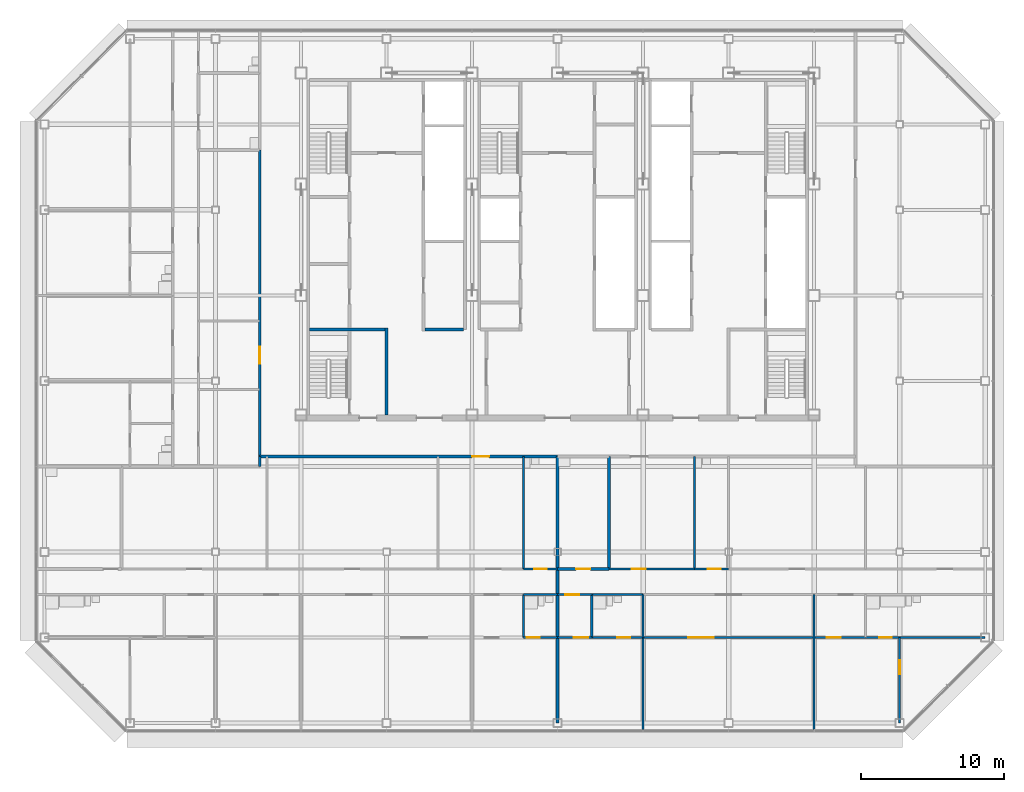
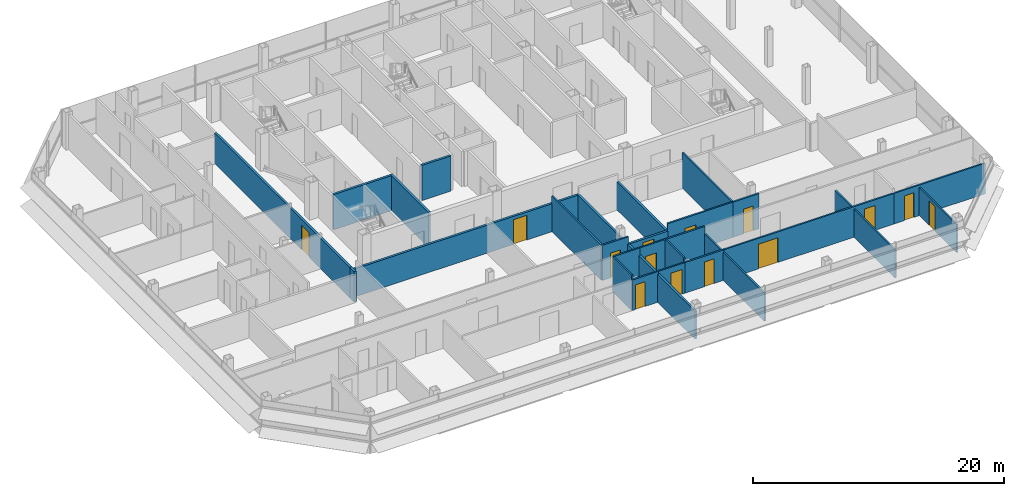
# One storey, part 22 of 28: 29 walls, 14 doors, 14 openings.
"""IFC4 building model written with IfcOpenShell, lengths in metres."""

from ifc_helpers import new_model, si_unit, direction, frame, frame_2d, origin, place, context, subcontext, project, spatial, rectangle, extrude, material, layer, layer_set, type_object, element, fill, save


model = new_model("IFC4")

# Units and contexts
model_context = context("Model", 3, precision=1e-05, world=origin(), true_north=direction((0.0, 1.0)))
body_context = subcontext(model_context, "Body", "Model", "MODEL_VIEW")
ifc_project = project(units=[si_unit("LENGTHUNIT", "METRE"), si_unit("AREAUNIT", "SQUARE_METRE"), si_unit("VOLUMEUNIT", "CUBIC_METRE"), si_unit("PLANEANGLEUNIT", "RADIAN"), si_unit("MASSUNIT", "GRAM", prefix="KILO")], contexts=[model_context])

# Site, building, storey
site_placement = place(None, origin())
site = spatial("IfcSite", under=ifc_project, at=site_placement, CompositionType="ELEMENT")
building_placement = place(site_placement, origin())
building = spatial("IfcBuilding", under=site, at=building_placement, Name="Sorahane Residences", CompositionType="ELEMENT")
storey_placement = place(building_placement, frame((0.0, 0.0, 273.800048828125)))
storey = spatial("IfcBuildingStorey", under=building, at=storey_placement, Name="L65", CompositionType="ELEMENT", Elevation=273.800048828125)

# Wall, opening, door
ifc_material_1 = material(Name="Concrete blockwork C20 wall", Category="masonry")
ifc_layer_1 = layer(ifc_material_1, 0.199951171875)
ifc_layer_set_1 = layer_set([ifc_layer_1], Name="Corridor wall 200 EI 120")
wall_type_1 = type_object("IfcWallType", Name="Corridor wall 200 EI 120", PredefinedType="SOLIDWALL", material=ifc_layer_set_1)
wall_1_placement = place(storey_placement, frame((3.10009765625, 18.699951171875, 0.0), z_axis=(0.0, 0.0, 1.0), x_axis=(0.0, 1.0, 0.0)))
wall_1 = element("IfcWall", 1, at=wall_1_placement, inside=storey, type_object=wall_type_1, Name="L65 corridor wall", PredefinedType="SOLIDWALL", context=body_context, shape_type="SweptSolid", body=[
    extrude(rectangle(XDim=21.5, YDim=0.199951171875, at=frame_2d((10.75, 0.0))), origin(), (0.0, 0.0, 1.0), 2.969970703125),
])
opening_1_placement = place(wall_1_placement, frame((6.5, 0.0, 0.0)))
opening_1 = element("IfcOpeningElement", 2, at=opening_1_placement, cuts=wall_1, Name="Opening L65-46", PredefinedType="OPENING", context=body_context, shape_type="SweptSolid", body=[
    extrude(rectangle(XDim=1.199951171875, YDim=2.39990234375, at=frame_2d((0.60009765625, 1.199951171875))), frame((0.0, 0.10986328125, 0.0), z_axis=(0.0, -1.0, 0.0), x_axis=(1.0, 0.0, 0.0)), (0.0, 0.0, 1.0), 0.219970703125),
])
ifc_material_2 = material(Name="Timber veneered fire door", Category="wood")
door_type_1 = type_object("IfcDoorType", Name="Flat entrance door 1200x2400 FD60", OperationType="NOTDEFINED", PredefinedType="DOOR", material=ifc_material_2)
door_1_placement = place(opening_1_placement, origin())
door_1 = element("IfcDoor", 3, at=door_1_placement, inside=storey, type_object=door_type_1, Name="Flat entrance door L65-46", OperationType="SINGLE_SWING_LEFT", OverallHeight=2.39990234375, OverallWidth=1.199951171875, PredefinedType="DOOR", context=body_context, shape_type="SweptSolid", body=[
    extrude(rectangle(XDim=1.199951171875, YDim=2.39990234375, at=frame_2d((0.60009765625, 1.199951171875))), frame((0.0, 0.02490234375, 0.0), z_axis=(0.0, -1.0, 0.0), x_axis=(1.0, 0.0, 0.0)), (0.0, 0.0, 1.0), 0.050048828125),
])
fill(opening_1, door_1)

wall_2_placement = place(storey_placement, frame((3.10009765625, 18.699951171875, 0.0), z_axis=(0.0, 0.0, 1.0), x_axis=(1.0, 0.0, 0.0)))
wall_2 = element("IfcWall", 4, at=wall_2_placement, inside=storey, type_object=wall_type_1, Name="L65 corridor wall", PredefinedType="SOLIDWALL", context=body_context, shape_type="SweptSolid", body=[
    extrude(rectangle(XDim=20.89990234375, YDim=0.199951171875, at=frame_2d((10.449951171875, 0.0))), origin(), (0.0, 0.0, 1.0), 2.719970703125),
])
opening_2_placement = place(wall_2_placement, frame((14.89990234375, 0.0, 0.0)))
opening_2 = element("IfcOpeningElement", 5, at=opening_2_placement, cuts=wall_2, Name="Opening L65-44", PredefinedType="OPENING", context=body_context, shape_type="SweptSolid", body=[
    extrude(rectangle(XDim=1.199951171875, YDim=2.39990234375, at=frame_2d((0.60009765625, 1.199951171875))), frame((0.0, 0.10986328125, 0.0), z_axis=(0.0, -1.0, 0.0), x_axis=(1.0, 0.0, 0.0)), (0.0, 0.0, 1.0), 0.219970703125),
])
door_2_placement = place(opening_2_placement, frame((1.199951171875, 0.0, 0.0), z_axis=(0.0, 0.0, 1.0), x_axis=(-1.0, 0.0, 0.0)))
door_2 = element("IfcDoor", 6, at=door_2_placement, inside=storey, type_object=door_type_1, Name="Flat entrance door L65-44", OperationType="SINGLE_SWING_LEFT", OverallHeight=2.39990234375, OverallWidth=1.199951171875, PredefinedType="DOOR", context=body_context, shape_type="SweptSolid", body=[
    extrude(rectangle(XDim=1.199951171875, YDim=2.39990234375, at=frame_2d((0.60009765625, 1.199951171875))), frame((0.0, 0.02490234375, 0.0), z_axis=(0.0, -1.0, 0.0), x_axis=(1.0, 0.0, 0.0)), (0.0, 0.0, 1.0), 0.050048828125),
])
fill(opening_2, door_2)

# Walls
ifc_material_3 = material(Name="Concrete C30", Category="concrete")
ifc_layer_2 = layer(ifc_material_3, 0.199951171875)
ifc_layer_set_2 = layer_set([ifc_layer_2], Name="Front room wall 200 EI 120")
wall_type_2 = type_object("IfcWallType", Name="Front room wall 200 EI 120", PredefinedType="PARTITIONING", material=ifc_layer_set_2)
wall_3_placement = place(storey_placement, frame((12.0, 21.60009765625, 0.0), z_axis=(0.0, 0.0, 1.0), x_axis=(0.0, 1.0, 0.0)))
element("IfcWall", 7, at=wall_3_placement, inside=storey, type_object=wall_type_2, Name="L65 front room wall", PredefinedType="PARTITIONING", context=body_context, shape_type="SweptSolid", body=[
    extrude(rectangle(XDim=6.099853515625, YDim=0.199951171875, at=frame_2d((3.0498046875, 0.0))), origin(), (0.0, 0.0, 1.0), 3.419921875),
])
ifc_material_4 = material(Name="Concrete blockwork C20 wall", Category="masonry")
ifc_layer_3 = layer(ifc_material_4, 0.199951171875)
ifc_layer_set_3 = layer_set([ifc_layer_3], Name="Kitchen wall 200 EI 180")
wall_type_3 = type_object("IfcWallType", Name="Kitchen wall 200 EI 180", PredefinedType="SOLIDWALL", material=ifc_layer_set_3)
for number, where, z_axis, x_axis, name in (
    (8, (24.0, 10.800048828125, 0.0), (0.0, 0.0, 1.0), (0.0, 1.0, 0.0), "L65 kitchen wall"),
    (9, (27.60009765625, 10.800048828125, 0.0), (0.0, 0.0, 1.0), (0.0, 1.0, 0.0), "L65 kitchen wall"),
):
    element("IfcWall", number, at=place(storey_placement, frame(where, z_axis=z_axis, x_axis=x_axis)), inside=storey, type_object=wall_type_3, Name=name, PredefinedType="SOLIDWALL", context=body_context, shape_type="SweptSolid", body=[
        extrude(rectangle(XDim=7.89990234375, YDim=0.199951171875, at=frame_2d((3.949951171875, 0.0))), origin(), (0.0, 0.0, 1.0), 2.719970703125),
    ])

# Wall, opening, door
wall_4_placement = place(storey_placement, frame((24.0, 10.800048828125, 0.0), z_axis=(0.0, 0.0, 1.0), x_axis=(1.0, 0.0, 0.0)))
wall_4 = element("IfcWall", 10, at=wall_4_placement, inside=storey, type_object=wall_type_3, Name="L65 kitchen wall", PredefinedType="SOLIDWALL", context=body_context, shape_type="SweptSolid", body=[
    extrude(rectangle(XDim=3.60009765625, YDim=0.199951171875, at=frame_2d((1.800048828125, 0.0))), origin(), (0.0, 0.0, 1.0), 2.719970703125),
])
opening_3_placement = place(wall_4_placement, frame((1.300048828125, 0.0, 0.0)))
opening_3 = element("IfcOpeningElement", 11, at=opening_3_placement, cuts=wall_4, Name="Opening L65-17", PredefinedType="OPENING", context=body_context, shape_type="SweptSolid", body=[
    extrude(rectangle(XDim=1.0, YDim=2.39990234375, at=frame_2d((0.5, 1.199951171875))), frame((0.0, 0.10986328125, 0.0), z_axis=(0.0, -1.0, 0.0), x_axis=(1.0, 0.0, 0.0)), (0.0, 0.0, 1.0), 0.219970703125),
])
ifc_material_5 = material(Name="Steel", Category="steel")
door_type_2 = type_object("IfcDoorType", Name="Kitchen door 1000x2400 FD120", OperationType="NOTDEFINED", PredefinedType="DOOR", material=ifc_material_5)
door_3_placement = place(opening_3_placement, origin())
door_3 = element("IfcDoor", 12, at=door_3_placement, inside=storey, type_object=door_type_2, Name="Kitchen door L65-17", OperationType="SINGLE_SWING_LEFT", OverallHeight=2.39990234375, OverallWidth=1.0, PredefinedType="DOOR", context=body_context, shape_type="SweptSolid", body=[
    extrude(rectangle(XDim=1.0, YDim=2.39990234375, at=frame_2d((0.5, 1.199951171875))), frame((0.0, 0.02490234375, 0.0), z_axis=(0.0, -1.0, 0.0), x_axis=(1.0, 0.0, 0.0)), (0.0, 0.0, 1.0), 0.050048828125),
])
fill(opening_3, door_3)

# Walls
ifc_material_6 = material(Name="Gypsum board partition on steel studs", Category="steel")
ifc_layer_4 = layer(ifc_material_6, 0.14990234375)
ifc_layer_set_4 = layer_set([ifc_layer_4], Name="Partition 150 EI 90")
wall_type_4 = type_object("IfcWallType", Name="Partition 150 EI 90", PredefinedType="PARTITIONING", material=ifc_layer_set_4)
wall_5_placement = place(storey_placement, frame((30.0, -0.60009765625, 0.0), z_axis=(0.0, 0.0, 1.0), x_axis=(0.0, 1.0, 0.0)))
element("IfcWall", 13, at=wall_5_placement, inside=storey, type_object=wall_type_4, Name="L65 partition", PredefinedType="PARTITIONING", context=body_context, shape_type="SweptSolid", body=[
    extrude(rectangle(XDim=6.60009765625, YDim=0.14990234375, at=frame_2d((3.300048828125, 0.0))), origin(), (0.0, 0.0, 1.0), 2.719970703125),
])
wall_6_placement = place(storey_placement, frame((42.0, -0.60009765625, 0.0), z_axis=(0.0, 0.0, 1.0), x_axis=(0.0, 1.0, 0.0)))
element("IfcWall", 14, at=wall_6_placement, inside=storey, type_object=wall_type_4, Name="L65 partition", PredefinedType="PARTITIONING", context=body_context, shape_type="SweptSolid", body=[
    extrude(rectangle(XDim=9.60009765625, YDim=0.14990234375, at=frame_2d((4.800048828125, 0.0))), origin(), (0.0, 0.0, 1.0), 2.719970703125),
])

# Wall, opening, door
wall_7_placement = place(storey_placement, frame((48.0, 0.0, 0.0), z_axis=(0.0, 0.0, 1.0), x_axis=(0.0, 1.0, 0.0)))
wall_7 = element("IfcWall", 15, at=wall_7_placement, inside=storey, type_object=wall_type_4, Name="L65 partition", PredefinedType="PARTITIONING", context=body_context, shape_type="SweptSolid", body=[
    extrude(rectangle(XDim=6.0, YDim=0.14990234375, at=frame_2d((3.0, 0.0))), origin(), (0.0, 0.0, 1.0), 2.719970703125),
])
opening_4_placement = place(wall_7_placement, frame((3.39990234375, 0.0, 0.0)))
opening_4 = element("IfcOpeningElement", 16, at=opening_4_placement, cuts=wall_7, Name="Opening L65-28", PredefinedType="OPENING", context=body_context, shape_type="SweptSolid", body=[
    extrude(rectangle(XDim=1.0, YDim=2.39990234375, at=frame_2d((0.5, 1.199951171875))), frame((0.0, 0.0849609375, 0.0), z_axis=(0.0, -1.0, 0.0), x_axis=(1.0, 0.0, 0.0)), (0.0, 0.0, 1.0), 0.169921875),
])
ifc_material_7 = material(Name="Timber veneered fire door", Category="wood")
door_type_3 = type_object("IfcDoorType", Name="Room door 1000x2400 FD30", OperationType="NOTDEFINED", PredefinedType="DOOR", material=ifc_material_7)
door_4_placement = place(opening_4_placement, frame((1.0, 0.0, 0.0), z_axis=(0.0, 0.0, 1.0), x_axis=(-1.0, 0.0, 0.0)))
door_4 = element("IfcDoor", 17, at=door_4_placement, inside=storey, type_object=door_type_3, Name="Room door L65-28", OperationType="SINGLE_SWING_RIGHT", OverallHeight=2.39990234375, OverallWidth=1.0, PredefinedType="DOOR", context=body_context, shape_type="SweptSolid", body=[
    extrude(rectangle(XDim=1.0, YDim=2.39990234375, at=frame_2d((0.5, 1.199951171875))), frame((0.0, 0.02490234375, 0.0), z_axis=(0.0, -1.0, 0.0), x_axis=(1.0, 0.0, 0.0)), (0.0, 0.0, 1.0), 0.050048828125),
])
fill(opening_4, door_4)

wall_8_placement = place(storey_placement, frame((27.60009765625, 10.800048828125, 0.0), z_axis=(0.0, 0.0, 1.0), x_axis=(1.0, 0.0, 0.0)))
wall_8 = element("IfcWall", 18, at=wall_8_placement, inside=storey, type_object=wall_type_4, Name="L65 partition", PredefinedType="PARTITIONING", context=body_context, shape_type="SweptSolid", body=[
    extrude(rectangle(XDim=6.0, YDim=0.14990234375, at=frame_2d((3.0, 0.0))), origin(), (0.0, 0.0, 1.0), 3.419921875),
])
opening_5_placement = place(wall_8_placement, frame((1.60009765625, 0.0, 0.0)))
opening_5 = element("IfcOpeningElement", 19, at=opening_5_placement, cuts=wall_8, Name="Opening L65-16", PredefinedType="OPENING", context=body_context, shape_type="SweptSolid", body=[
    extrude(rectangle(XDim=1.0, YDim=2.39990234375, at=frame_2d((0.5, 1.199951171875))), frame((0.0, 0.0849609375, 0.0), z_axis=(0.0, -1.0, 0.0), x_axis=(1.0, 0.0, 0.0)), (0.0, 0.0, 1.0), 0.169921875),
])
door_5_placement = place(opening_5_placement, frame((1.0, 0.0, 0.0), z_axis=(0.0, 0.0, 1.0), x_axis=(-1.0, 0.0, 0.0)))
door_5 = element("IfcDoor", 20, at=door_5_placement, inside=storey, type_object=door_type_3, Name="Room door L65-16", OperationType="SINGLE_SWING_LEFT", OverallHeight=2.39990234375, OverallWidth=1.0, PredefinedType="DOOR", context=body_context, shape_type="SweptSolid", body=[
    extrude(rectangle(XDim=1.0, YDim=2.39990234375, at=frame_2d((0.5, 1.199951171875))), frame((0.0, 0.02490234375, 0.0), z_axis=(0.0, -1.0, 0.0), x_axis=(1.0, 0.0, 0.0)), (0.0, 0.0, 1.0), 0.050048828125),
])
fill(opening_5, door_5)

wall_9_placement = place(storey_placement, frame((24.0, 6.0, 0.0), z_axis=(0.0, 0.0, 1.0), x_axis=(1.0, 0.0, 0.0)))
wall_9 = element("IfcWall", 21, at=wall_9_placement, inside=storey, type_object=wall_type_4, Name="L65 partition", PredefinedType="PARTITIONING", context=body_context, shape_type="SweptSolid", body=[
    extrude(rectangle(XDim=2.39990234375, YDim=0.14990234375, at=frame_2d((1.199951171875, 0.0))), origin(), (0.0, 0.0, 1.0), 2.969970703125),
])
opening_6_placement = place(wall_9_placement, frame((1.14990234375, 0.0, 0.0)))
opening_6 = element("IfcOpeningElement", 22, at=opening_6_placement, cuts=wall_9, Name="Opening L65-24", PredefinedType="OPENING", context=body_context, shape_type="SweptSolid", body=[
    extrude(rectangle(XDim=1.0, YDim=2.39990234375, at=frame_2d((0.5, 1.199951171875))), frame((0.0, 0.0849609375, 0.0), z_axis=(0.0, -1.0, 0.0), x_axis=(1.0, 0.0, 0.0)), (0.0, 0.0, 1.0), 0.169921875),
])
door_6_placement = place(opening_6_placement, frame((1.0, 0.0, 0.0), z_axis=(0.0, 0.0, 1.0), x_axis=(-1.0, 0.0, 0.0)))
door_6 = element("IfcDoor", 23, at=door_6_placement, inside=storey, type_object=door_type_3, Name="Room door L65-24", OperationType="SINGLE_SWING_LEFT", OverallHeight=2.39990234375, OverallWidth=1.0, PredefinedType="DOOR", context=body_context, shape_type="SweptSolid", body=[
    extrude(rectangle(XDim=1.0, YDim=2.39990234375, at=frame_2d((0.5, 1.199951171875))), frame((0.0, 0.02490234375, 0.0), z_axis=(0.0, -1.0, 0.0), x_axis=(1.0, 0.0, 0.0)), (0.0, 0.0, 1.0), 0.050048828125),
])
fill(opening_6, door_6)

# Wall, openings, doors
wall_10_placement = place(storey_placement, frame((30.0, 6.0, 0.0), z_axis=(0.0, 0.0, 1.0), x_axis=(1.0, 0.0, 0.0)))
wall_10 = element("IfcWall", 24, at=wall_10_placement, inside=storey, type_object=wall_type_4, Name="L65 partition", PredefinedType="PARTITIONING", context=body_context, shape_type="SweptSolid", body=[
    extrude(rectangle(XDim=15.60009765625, YDim=0.14990234375, at=frame_2d((7.800048828125, 0.0))), origin(), (0.0, 0.0, 1.0), 2.969970703125),
])
opening_7_placement = place(wall_10_placement, frame((3.159912109375, 0.0, 0.0)))
opening_7 = element("IfcOpeningElement", 25, at=opening_7_placement, cuts=wall_10, Name="Opening L65-26", PredefinedType="OPENING", context=body_context, shape_type="SweptSolid", body=[
    extrude(rectangle(XDim=1.800048828125, YDim=2.39990234375, at=frame_2d((0.89990234375, 1.199951171875))), frame((0.0, 0.0849609375, 0.0), z_axis=(0.0, -1.0, 0.0), x_axis=(1.0, 0.0, 0.0)), (0.0, 0.0, 1.0), 0.169921875),
])
opening_8_placement = place(wall_10_placement, frame((12.8798828125, 0.0, 0.0)))
opening_8 = element("IfcOpeningElement", 26, at=opening_8_placement, cuts=wall_10, Name="Opening L65-27", PredefinedType="OPENING", context=body_context, shape_type="SweptSolid", body=[
    extrude(rectangle(XDim=1.0, YDim=2.39990234375, at=frame_2d((0.5, 1.199951171875))), frame((0.0, 0.0849609375, 0.0), z_axis=(0.0, -1.0, 0.0), x_axis=(1.0, 0.0, 0.0)), (0.0, 0.0, 1.0), 0.169921875),
])
ifc_material_8 = material(Name="Timber veneered fire door", Category="wood")
door_type_4 = type_object("IfcDoorType", Name="Double door 1800x2400 FD30", OperationType="NOTDEFINED", PredefinedType="DOOR", material=ifc_material_8)
door_7_placement = place(opening_7_placement, frame((1.800048828125, 0.0, 0.0), z_axis=(0.0, 0.0, 1.0), x_axis=(-1.0, 0.0, 0.0)))
door_7 = element("IfcDoor", 27, at=door_7_placement, inside=storey, type_object=door_type_4, Name="Double door L65-26", OperationType="SINGLE_SWING_RIGHT", OverallHeight=2.39990234375, OverallWidth=1.800048828125, PredefinedType="DOOR", context=body_context, shape_type="SweptSolid", body=[
    extrude(rectangle(XDim=1.800048828125, YDim=2.39990234375, at=frame_2d((0.89990234375, 1.199951171875))), frame((0.0, 0.02490234375, 0.0), z_axis=(0.0, -1.0, 0.0), x_axis=(1.0, 0.0, 0.0)), (0.0, 0.0, 1.0), 0.050048828125),
])
fill(opening_7, door_7)
door_8_placement = place(opening_8_placement, frame((1.0, 0.0, 0.0), z_axis=(0.0, 0.0, 1.0), x_axis=(-1.0, 0.0, 0.0)))
door_8 = element("IfcDoor", 28, at=door_8_placement, inside=storey, type_object=door_type_3, Name="Room door L65-27", OperationType="SINGLE_SWING_RIGHT", OverallHeight=2.39990234375, OverallWidth=1.0, PredefinedType="DOOR", context=body_context, shape_type="SweptSolid", body=[
    extrude(rectangle(XDim=1.0, YDim=2.39990234375, at=frame_2d((0.5, 1.199951171875))), frame((0.0, 0.02490234375, 0.0), z_axis=(0.0, -1.0, 0.0), x_axis=(1.0, 0.0, 0.0)), (0.0, 0.0, 1.0), 0.050048828125),
])
fill(opening_8, door_8)

# Wall, opening, door
wall_11_placement = place(storey_placement, frame((24.0, 9.0, 0.0), z_axis=(0.0, 0.0, 1.0), x_axis=(1.0, 0.0, 0.0)))
wall_11 = element("IfcWall", 29, at=wall_11_placement, inside=storey, type_object=wall_type_4, Name="L65 partition", PredefinedType="PARTITIONING", context=body_context, shape_type="SweptSolid", body=[
    extrude(rectangle(XDim=2.39990234375, YDim=0.14990234375, at=frame_2d((1.199951171875, 0.0))), origin(), (0.0, 0.0, 1.0), 3.419921875),
])
opening_9_placement = place(wall_11_placement, frame((0.52001953125, 0.0, 0.0)))
opening_9 = element("IfcOpeningElement", 30, at=opening_9_placement, cuts=wall_11, Name="Opening L65-21", PredefinedType="OPENING", context=body_context, shape_type="SweptSolid", body=[
    extrude(rectangle(XDim=1.0, YDim=2.39990234375, at=frame_2d((0.5, 1.199951171875))), frame((0.0, 0.0849609375, 0.0), z_axis=(0.0, -1.0, 0.0), x_axis=(1.0, 0.0, 0.0)), (0.0, 0.0, 1.0), 0.169921875),
])
door_9_placement = place(opening_9_placement, frame((1.0, 0.0, 0.0), z_axis=(0.0, 0.0, 1.0), x_axis=(-1.0, 0.0, 0.0)))
door_9 = element("IfcDoor", 31, at=door_9_placement, inside=storey, type_object=door_type_3, Name="Room door L65-21", OperationType="SINGLE_SWING_RIGHT", OverallHeight=2.39990234375, OverallWidth=1.0, PredefinedType="DOOR", context=body_context, shape_type="SweptSolid", body=[
    extrude(rectangle(XDim=1.0, YDim=2.39990234375, at=frame_2d((0.5, 1.199951171875))), frame((0.0, 0.02490234375, 0.0), z_axis=(0.0, -1.0, 0.0), x_axis=(1.0, 0.0, 0.0)), (0.0, 0.0, 1.0), 0.050048828125),
])
fill(opening_9, door_9)

# Walls
ifc_material_9 = material(Name="Concrete blockwork C20 wall", Category="masonry")
ifc_layer_5 = layer(ifc_material_9, 0.199951171875)
ifc_layer_set_5 = layer_set([ifc_layer_5], Name="Party wall 200 EI 120")
wall_type_5 = type_object("IfcWallType", Name="Party wall 200 EI 120", PredefinedType="SOLIDWALL", material=ifc_layer_set_5)
wall_12_placement = place(storey_placement, frame((24.0, 0.0, 0.0), z_axis=(0.0, 0.0, 1.0), x_axis=(0.0, 1.0, 0.0)))
element("IfcWall", 32, at=wall_12_placement, inside=storey, type_object=wall_type_5, Name="L65 party wall", PredefinedType="SOLIDWALL", context=body_context, shape_type="SweptSolid", body=[
    extrude(rectangle(XDim=10.800048828125, YDim=0.199951171875, at=frame_2d((5.39990234375, 0.0))), origin(), (0.0, 0.0, 1.0), 2.719970703125),
])
wall_13_placement = place(storey_placement, frame((3.10009765625, 18.0, 0.0), z_axis=(0.0, 0.0, 1.0), x_axis=(0.0, 1.0, 0.0)))
element("IfcWall", 33, at=wall_13_placement, inside=storey, type_object=wall_type_5, Name="L65 party wall", PredefinedType="SOLIDWALL", context=body_context, shape_type="SweptSolid", body=[
    extrude(rectangle(XDim=0.699951171875, YDim=0.199951171875, at=frame_2d((0.35009765625, 0.0))), origin(), (0.0, 0.0, 1.0), 2.969970703125),
])
ifc_material_10 = material(Name="Concrete C30", Category="concrete")
ifc_layer_6 = layer(ifc_material_10, 0.199951171875)
ifc_layer_set_6 = layer_set([ifc_layer_6], Name="Service room partition 200 EI 60")
wall_type_6 = type_object("IfcWallType", Name="Service room partition 200 EI 60", PredefinedType="PARTITIONING", material=ifc_layer_set_6)
wall_14_placement = place(storey_placement, frame((14.699951171875, 27.60009765625, 0.0), z_axis=(0.0, 0.0, 1.0), x_axis=(1.0, 0.0, 0.0)))
element("IfcWall", 34, at=wall_14_placement, inside=storey, type_object=wall_type_6, Name="L65 service room wall", PredefinedType="PARTITIONING", context=body_context, shape_type="SweptSolid", body=[
    extrude(rectangle(XDim=2.699951171875, YDim=0.199951171875, at=frame_2d((1.35009765625, 0.0))), origin(), (0.0, 0.0, 1.0), 3.419921875),
])
ifc_material_11 = material(Name="Concrete C30", Category="concrete")
ifc_layer_7 = layer(ifc_material_11, 0.199951171875)
ifc_layer_set_7 = layer_set([ifc_layer_7], Name="Stair enclosure wall 200 EI 120")
wall_type_7 = type_object("IfcWallType", Name="Stair enclosure wall 200 EI 120", PredefinedType="SOLIDWALL", material=ifc_layer_set_7)
wall_15_placement = place(storey_placement, frame((6.60009765625, 27.60009765625, 0.0), z_axis=(0.0, 0.0, 1.0), x_axis=(1.0, 0.0, 0.0)))
element("IfcWall", 35, at=wall_15_placement, inside=storey, type_object=wall_type_7, Name="L65 stair enclosure wall", PredefinedType="SOLIDWALL", context=body_context, shape_type="SweptSolid", body=[
    extrude(rectangle(XDim=5.2998046875, YDim=0.199951171875, at=frame_2d((2.64990234375, 0.0))), origin(), (0.0, 0.0, 1.0), 3.419921875),
])
ifc_material_12 = material(Name="Gypsum board partition on steel studs", Category="steel")
ifc_layer_8 = layer(ifc_material_12, 0.14990234375)
ifc_layer_set_8 = layer_set([ifc_layer_8], Name="Wet wall 150 EI 90")
wall_type_8 = type_object("IfcWallType", Name="Wet wall 150 EI 90", PredefinedType="PARTITIONING", material=ifc_layer_set_8)
wall_16_placement = place(storey_placement, frame((21.60009765625, 6.0, 0.0), z_axis=(0.0, 0.0, 1.0), x_axis=(0.0, 1.0, 0.0)))
element("IfcWall", 36, at=wall_16_placement, inside=storey, type_object=wall_type_8, Name="L65 wet wall", PredefinedType="PARTITIONING", context=body_context, shape_type="SweptSolid", body=[
    extrude(rectangle(XDim=3.0, YDim=0.14990234375, at=frame_2d((1.5, 0.0))), origin(), (0.0, 0.0, 1.0), 3.419921875),
])
wall_17_placement = place(storey_placement, frame((21.60009765625, 10.800048828125, 0.0), z_axis=(0.0, 0.0, 1.0), x_axis=(0.0, 1.0, 0.0)))
element("IfcWall", 37, at=wall_17_placement, inside=storey, type_object=wall_type_8, Name="L65 wet wall", PredefinedType="PARTITIONING", context=body_context, shape_type="SweptSolid", body=[
    extrude(rectangle(XDim=7.89990234375, YDim=0.14990234375, at=frame_2d((3.949951171875, 0.0))), origin(), (0.0, 0.0, 1.0), 3.419921875),
])
wall_18_placement = place(storey_placement, frame((26.39990234375, 6.0, 0.0), z_axis=(0.0, 0.0, 1.0), x_axis=(0.0, 1.0, 0.0)))
element("IfcWall", 38, at=wall_18_placement, inside=storey, type_object=wall_type_8, Name="L65 wet wall", PredefinedType="PARTITIONING", context=body_context, shape_type="SweptSolid", body=[
    extrude(rectangle(XDim=3.0, YDim=0.14990234375, at=frame_2d((1.5, 0.0))), origin(), (0.0, 0.0, 1.0), 3.419921875),
])
wall_19_placement = place(storey_placement, frame((30.0, 6.0, 0.0), z_axis=(0.0, 0.0, 1.0), x_axis=(0.0, 1.0, 0.0)))
element("IfcWall", 39, at=wall_19_placement, inside=storey, type_object=wall_type_8, Name="L65 wet wall", PredefinedType="PARTITIONING", context=body_context, shape_type="SweptSolid", body=[
    extrude(rectangle(XDim=3.0, YDim=0.14990234375, at=frame_2d((1.5, 0.0))), origin(), (0.0, 0.0, 1.0), 2.719970703125),
])
wall_20_placement = place(storey_placement, frame((33.60009765625, 10.800048828125, 0.0), z_axis=(0.0, 0.0, 1.0), x_axis=(0.0, 1.0, 0.0)))
element("IfcWall", 40, at=wall_20_placement, inside=storey, type_object=wall_type_8, Name="L65 wet wall", PredefinedType="PARTITIONING", context=body_context, shape_type="SweptSolid", body=[
    extrude(rectangle(XDim=7.89990234375, YDim=0.14990234375, at=frame_2d((3.949951171875, 0.0))), origin(), (0.0, 0.0, 1.0), 3.419921875),
])

# Wall, opening, door
wall_21_placement = place(storey_placement, frame((21.60009765625, 10.800048828125, 0.0), z_axis=(0.0, 0.0, 1.0), x_axis=(1.0, 0.0, 0.0)))
wall_21 = element("IfcWall", 41, at=wall_21_placement, inside=storey, type_object=wall_type_8, Name="L65 wet wall", PredefinedType="PARTITIONING", context=body_context, shape_type="SweptSolid", body=[
    extrude(rectangle(XDim=2.39990234375, YDim=0.14990234375, at=frame_2d((1.199951171875, 0.0))), origin(), (0.0, 0.0, 1.0), 3.419921875),
])
opening_10_placement = place(wall_21_placement, frame((0.75, 0.0, 0.0)))
opening_10 = element("IfcOpeningElement", 42, at=opening_10_placement, cuts=wall_21, Name="Opening L65-05", PredefinedType="OPENING", context=body_context, shape_type="SweptSolid", body=[
    extrude(rectangle(XDim=0.89990234375, YDim=2.39990234375, at=frame_2d((0.449951171875, 1.199951171875))), frame((0.0, 0.0849609375, 0.0), z_axis=(0.0, -1.0, 0.0), x_axis=(1.0, 0.0, 0.0)), (0.0, 0.0, 1.0), 0.169921875),
])
ifc_material_13 = material(Name="Timber veneered fire door", Category="wood")
door_type_5 = type_object("IfcDoorType", Name="Bathroom door 900x2400 FD30", OperationType="NOTDEFINED", PredefinedType="DOOR", material=ifc_material_13)
door_10_placement = place(opening_10_placement, frame((0.89990234375, 0.0, 0.0), z_axis=(0.0, 0.0, 1.0), x_axis=(-1.0, 0.0, 0.0)))
door_10 = element("IfcDoor", 43, at=door_10_placement, inside=storey, type_object=door_type_5, Name="Bathroom door L65-05", OperationType="SINGLE_SWING_RIGHT", OverallHeight=2.39990234375, OverallWidth=0.89990234375, PredefinedType="DOOR", context=body_context, shape_type="SweptSolid", body=[
    extrude(rectangle(XDim=0.89990234375, YDim=2.39990234375, at=frame_2d((0.449951171875, 1.199951171875))), frame((0.0, 0.02490234375, 0.0), z_axis=(0.0, -1.0, 0.0), x_axis=(1.0, 0.0, 0.0)), (0.0, 0.0, 1.0), 0.050048828125),
])
fill(opening_10, door_10)

wall_22_placement = place(storey_placement, frame((33.60009765625, 10.800048828125, 0.0), z_axis=(0.0, 0.0, 1.0), x_axis=(1.0, 0.0, 0.0)))
wall_22 = element("IfcWall", 44, at=wall_22_placement, inside=storey, type_object=wall_type_8, Name="L65 wet wall", PredefinedType="PARTITIONING", context=body_context, shape_type="SweptSolid", body=[
    extrude(rectangle(XDim=2.39990234375, YDim=0.14990234375, at=frame_2d((1.199951171875, 0.0))), origin(), (0.0, 0.0, 1.0), 3.419921875),
])
opening_11_placement = place(wall_22_placement, frame((0.949951171875, 0.0, 0.0)))
opening_11 = element("IfcOpeningElement", 45, at=opening_11_placement, cuts=wall_22, Name="Opening L65-18", PredefinedType="OPENING", context=body_context, shape_type="SweptSolid", body=[
    extrude(rectangle(XDim=0.89990234375, YDim=2.39990234375, at=frame_2d((0.449951171875, 1.199951171875))), frame((0.0, 0.0849609375, 0.0), z_axis=(0.0, -1.0, 0.0), x_axis=(1.0, 0.0, 0.0)), (0.0, 0.0, 1.0), 0.169921875),
])
door_11_placement = place(opening_11_placement, frame((0.89990234375, 0.0, 0.0), z_axis=(0.0, 0.0, 1.0), x_axis=(-1.0, 0.0, 0.0)))
door_11 = element("IfcDoor", 46, at=door_11_placement, inside=storey, type_object=door_type_5, Name="Bathroom door L65-18", OperationType="SINGLE_SWING_RIGHT", OverallHeight=2.39990234375, OverallWidth=0.89990234375, PredefinedType="DOOR", context=body_context, shape_type="SweptSolid", body=[
    extrude(rectangle(XDim=0.89990234375, YDim=2.39990234375, at=frame_2d((0.449951171875, 1.199951171875))), frame((0.0, 0.02490234375, 0.0), z_axis=(0.0, -1.0, 0.0), x_axis=(1.0, 0.0, 0.0)), (0.0, 0.0, 1.0), 0.050048828125),
])
fill(opening_11, door_11)

wall_23_placement = place(storey_placement, frame((21.60009765625, 6.0, 0.0), z_axis=(0.0, 0.0, 1.0), x_axis=(1.0, 0.0, 0.0)))
wall_23 = element("IfcWall", 47, at=wall_23_placement, inside=storey, type_object=wall_type_8, Name="L65 wet wall", PredefinedType="PARTITIONING", context=body_context, shape_type="SweptSolid", body=[
    extrude(rectangle(XDim=2.39990234375, YDim=0.14990234375, at=frame_2d((1.199951171875, 0.0))), origin(), (0.0, 0.0, 1.0), 2.969970703125),
])
opening_12_placement = place(wall_23_placement, frame((0.25, 0.0, 0.0)))
opening_12 = element("IfcOpeningElement", 48, at=opening_12_placement, cuts=wall_23, Name="Opening L65-15", PredefinedType="OPENING", context=body_context, shape_type="SweptSolid", body=[
    extrude(rectangle(XDim=0.89990234375, YDim=2.39990234375, at=frame_2d((0.449951171875, 1.199951171875))), frame((0.0, 0.0849609375, 0.0), z_axis=(0.0, -1.0, 0.0), x_axis=(1.0, 0.0, 0.0)), (0.0, 0.0, 1.0), 0.169921875),
])
door_12_placement = place(opening_12_placement, frame((0.89990234375, 0.0, 0.0), z_axis=(0.0, 0.0, 1.0), x_axis=(-1.0, 0.0, 0.0)))
door_12 = element("IfcDoor", 49, at=door_12_placement, inside=storey, type_object=door_type_5, Name="Bathroom door L65-15", OperationType="SINGLE_SWING_RIGHT", OverallHeight=2.39990234375, OverallWidth=0.89990234375, PredefinedType="DOOR", context=body_context, shape_type="SweptSolid", body=[
    extrude(rectangle(XDim=0.89990234375, YDim=2.39990234375, at=frame_2d((0.449951171875, 1.199951171875))), frame((0.0, 0.02490234375, 0.0), z_axis=(0.0, -1.0, 0.0), x_axis=(1.0, 0.0, 0.0)), (0.0, 0.0, 1.0), 0.050048828125),
])
fill(opening_12, door_12)

wall_24_placement = place(storey_placement, frame((26.39990234375, 6.0, 0.0), z_axis=(0.0, 0.0, 1.0), x_axis=(1.0, 0.0, 0.0)))
wall_24 = element("IfcWall", 50, at=wall_24_placement, inside=storey, type_object=wall_type_8, Name="L65 wet wall", PredefinedType="PARTITIONING", context=body_context, shape_type="SweptSolid", body=[
    extrude(rectangle(XDim=3.60009765625, YDim=0.14990234375, at=frame_2d((1.800048828125, 0.0))), origin(), (0.0, 0.0, 1.0), 2.969970703125),
])
opening_13_placement = place(wall_24_placement, frame((1.7900390625, 0.0, 0.0)))
opening_13 = element("IfcOpeningElement", 51, at=opening_13_placement, cuts=wall_24, Name="Opening L65-25", PredefinedType="OPENING", context=body_context, shape_type="SweptSolid", body=[
    extrude(rectangle(XDim=0.89990234375, YDim=2.39990234375, at=frame_2d((0.449951171875, 1.199951171875))), frame((0.0, 0.0849609375, 0.0), z_axis=(0.0, -1.0, 0.0), x_axis=(1.0, 0.0, 0.0)), (0.0, 0.0, 1.0), 0.169921875),
])
door_13_placement = place(opening_13_placement, frame((0.89990234375, 0.0, 0.0), z_axis=(0.0, 0.0, 1.0), x_axis=(-1.0, 0.0, 0.0)))
door_13 = element("IfcDoor", 52, at=door_13_placement, inside=storey, type_object=door_type_5, Name="Bathroom door L65-25", OperationType="SINGLE_SWING_LEFT", OverallHeight=2.39990234375, OverallWidth=0.89990234375, PredefinedType="DOOR", context=body_context, shape_type="SweptSolid", body=[
    extrude(rectangle(XDim=0.89990234375, YDim=2.39990234375, at=frame_2d((0.449951171875, 1.199951171875))), frame((0.0, 0.02490234375, 0.0), z_axis=(0.0, -1.0, 0.0), x_axis=(1.0, 0.0, 0.0)), (0.0, 0.0, 1.0), 0.050048828125),
])
fill(opening_13, door_13)

wall_25_placement = place(storey_placement, frame((45.60009765625, 6.0, 0.0), z_axis=(0.0, 0.0, 1.0), x_axis=(1.0, 0.0, 0.0)))
wall_25 = element("IfcWall", 53, at=wall_25_placement, inside=storey, type_object=wall_type_8, Name="L65 wet wall", PredefinedType="PARTITIONING", context=body_context, shape_type="SweptSolid", body=[
    extrude(rectangle(XDim=8.39990234375, YDim=0.14990234375, at=frame_2d((4.199951171875, 0.0))), origin(), (0.0, 0.0, 1.0), 2.969970703125),
])
opening_14_placement = place(wall_25_placement, frame((0.949951171875, 0.0, 0.0)))
opening_14 = element("IfcOpeningElement", 54, at=opening_14_placement, cuts=wall_25, Name="Opening L65-29", PredefinedType="OPENING", context=body_context, shape_type="SweptSolid", body=[
    extrude(rectangle(XDim=0.89990234375, YDim=2.39990234375, at=frame_2d((0.449951171875, 1.199951171875))), frame((0.0, 0.0849609375, 0.0), z_axis=(0.0, -1.0, 0.0), x_axis=(1.0, 0.0, 0.0)), (0.0, 0.0, 1.0), 0.169921875),
])
door_14_placement = place(opening_14_placement, frame((0.89990234375, 0.0, 0.0), z_axis=(0.0, 0.0, 1.0), x_axis=(-1.0, 0.0, 0.0)))
door_14 = element("IfcDoor", 55, at=door_14_placement, inside=storey, type_object=door_type_5, Name="Bathroom door L65-29", OperationType="SINGLE_SWING_LEFT", OverallHeight=2.39990234375, OverallWidth=0.89990234375, PredefinedType="DOOR", context=body_context, shape_type="SweptSolid", body=[
    extrude(rectangle(XDim=0.89990234375, YDim=2.39990234375, at=frame_2d((0.449951171875, 1.199951171875))), frame((0.0, 0.02490234375, 0.0), z_axis=(0.0, -1.0, 0.0), x_axis=(1.0, 0.0, 0.0)), (0.0, 0.0, 1.0), 0.050048828125),
])
fill(opening_14, door_14)

# Walls
wall_26_placement = place(storey_placement, frame((21.60009765625, 9.0, 0.0), z_axis=(0.0, 0.0, 1.0), x_axis=(1.0, 0.0, 0.0)))
element("IfcWall", 56, at=wall_26_placement, inside=storey, type_object=wall_type_8, Name="L65 wet wall", PredefinedType="PARTITIONING", context=body_context, shape_type="SweptSolid", body=[
    extrude(rectangle(XDim=2.39990234375, YDim=0.14990234375, at=frame_2d((1.199951171875, 0.0))), origin(), (0.0, 0.0, 1.0), 3.419921875),
])
wall_27_placement = place(storey_placement, frame((26.39990234375, 9.0, 0.0), z_axis=(0.0, 0.0, 1.0), x_axis=(1.0, 0.0, 0.0)))
element("IfcWall", 57, at=wall_27_placement, inside=storey, type_object=wall_type_8, Name="L65 wet wall", PredefinedType="PARTITIONING", context=body_context, shape_type="SweptSolid", body=[
    extrude(rectangle(XDim=3.60009765625, YDim=0.14990234375, at=frame_2d((1.800048828125, 0.0))), origin(), (0.0, 0.0, 1.0), 3.419921875),
])

save(model, "model.ifc")
